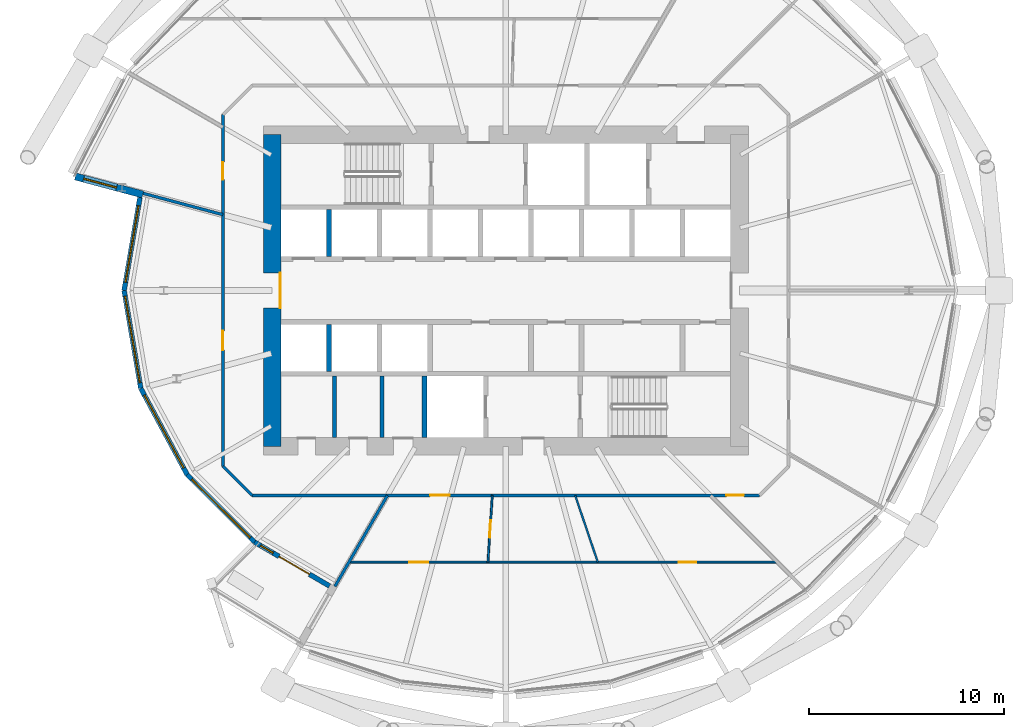
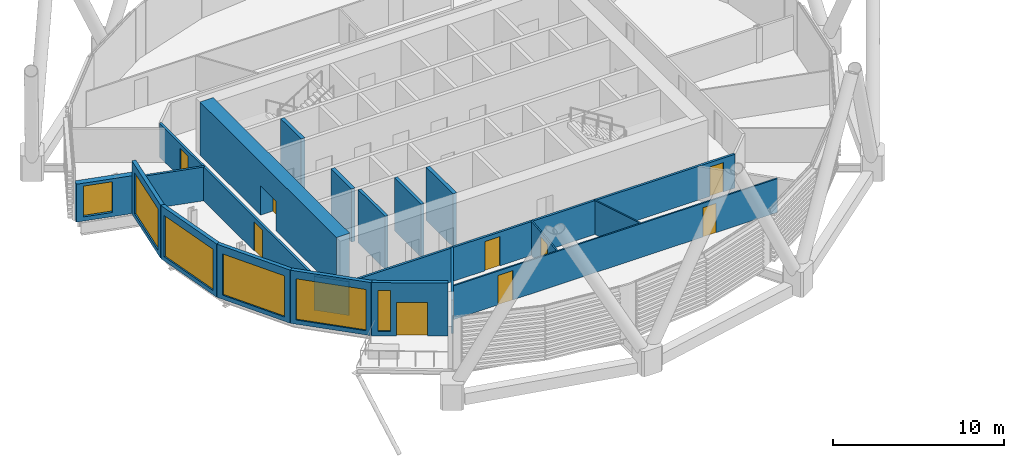
# One storey, part 24 of 40: 20 walls, 9 doors, 6 windows, 15 openings.
"""IFC4 building model written with IfcOpenShell, lengths in metres."""

from ifc_helpers import new_model, si_unit, direction, frame, frame_2d, origin, place, context, subcontext, project, spatial, rectangle, extrude, material, layer, layer_set, type_object, element, fill, save


model = new_model("IFC4")

# Units and contexts
model_context = context("Model", 3, precision=1e-05, world=origin(), true_north=direction((0.0, 1.0)))
body_context = subcontext(model_context, "Body", "Model", "MODEL_VIEW")
ifc_project = project(units=[si_unit("LENGTHUNIT", "METRE"), si_unit("AREAUNIT", "SQUARE_METRE"), si_unit("VOLUMEUNIT", "CUBIC_METRE"), si_unit("PLANEANGLEUNIT", "RADIAN"), si_unit("MASSUNIT", "GRAM", prefix="KILO")], contexts=[model_context])

# Site, building, storey
site_placement = place(None, origin())
site = spatial("IfcSite", under=ifc_project, at=site_placement, CompositionType="ELEMENT")
building_placement = place(site_placement, origin())
building = spatial("IfcBuilding", under=site, at=building_placement, Name="Rimbun Link Towers", CompositionType="ELEMENT")
storey_placement = place(building_placement, frame((0.0, 0.0, 52.800048828125)))
storey = spatial("IfcBuildingStorey", under=building, at=storey_placement, Name="L12", CompositionType="ELEMENT", Elevation=52.800048828125)

# Wall, opening, window
ifc_material_1 = material(Name="Dark enamelled glass spandrel on insulated aluminium backpan", Category="aluminium")
ifc_layer_1 = layer(ifc_material_1, 0.25)
ifc_layer_set_1 = layer_set([ifc_layer_1], Name="CS dark enamelled spandrel wall 250")
wall_type_1 = type_object("IfcWallType", Name="CS dark enamelled spandrel wall 250", PredefinedType="STANDARD", material=ifc_layer_set_1)
wall_1_placement = place(storey_placement, frame((-51.347900390625, 0.0, 0.0), z_axis=(0.0, 0.0, 1.0), x_axis=(0.168166241622, 0.985758649558, 0.0)))
wall_1 = element("IfcWall", 1, at=wall_1_placement, inside=storey, type_object=wall_type_1, Name="Crease spandrel wall", PredefinedType="STANDARD", context=body_context, shape_type="SweptSolid", body=[
    extrude(rectangle(XDim=4.84326171875, YDim=0.25, at=frame_2d((2.421630859375, 0.0))), origin(), (0.0, 0.0, 1.0), 3.800048828125),
])
opening_1_placement = place(wall_1_placement, frame((0.421630859375, 0.0, 0.300048828125)))
opening_1 = element("IfcOpeningElement", 2, at=opening_1_placement, cuts=wall_1, Name="Opening WR40H295", PredefinedType="OPENING", context=body_context, shape_type="SweptSolid", body=[
    extrude(rectangle(XDim=4.0, YDim=2.949951171875, at=frame_2d((2.0, 1.47509765625))), frame((0.0, 0.135009765625, 0.0), z_axis=(0.0, -1.0, 0.0), x_axis=(1.0, 0.0, 0.0)), (0.0, 0.0, 1.0), 0.27001953125),
])
ifc_material_2 = material(Name="Aluminium framed fixed window, dark tinted low-e glass", Category="aluminium")
window_type_1 = type_object("IfcWindowType", Name="WR ribbon window 4000X2950", PartitioningType="SINGLE_PANEL", PredefinedType="WINDOW", material=ifc_material_2)
window_1_placement = place(opening_1_placement, origin())
window_1 = element("IfcWindow", 3, at=window_1_placement, inside=storey, type_object=window_type_1, Name="Crease ribbon window", OverallHeight=2.949951171875, OverallWidth=4.0, PartitioningType="SINGLE_PANEL", PredefinedType="WINDOW", context=body_context, shape_type="SweptSolid", body=[
    extrude(rectangle(XDim=4.0, YDim=2.949951171875, at=frame_2d((2.0, 1.47509765625))), frame((0.0, 0.030029296875, 0.0), z_axis=(0.0, -1.0, 0.0), x_axis=(1.0, 0.0, 0.0)), (0.0, 0.0, 1.0), 0.06005859375),
])
fill(opening_1, window_1)

wall_2_placement = place(storey_placement, frame((-50.48974609375, -5.0302734375, 0.0), z_axis=(0.0, 0.0, 1.0), x_axis=(-0.168168336111, 0.985758292245, 0.0)))
wall_2 = element("IfcWall", 4, at=wall_2_placement, inside=storey, type_object=wall_type_1, Name="Crease spandrel wall", PredefinedType="STANDARD", context=body_context, shape_type="SweptSolid", body=[
    extrude(rectangle(XDim=5.10302734375, YDim=0.25, at=frame_2d((2.551513671875, 0.0))), origin(), (0.0, 0.0, 1.0), 3.800048828125),
])
opening_2_placement = place(wall_2_placement, frame((0.301513671875, 0.0, 0.300048828125)))
opening_2 = element("IfcOpeningElement", 5, at=opening_2_placement, cuts=wall_2, Name="Opening WR45H295", PredefinedType="OPENING", context=body_context, shape_type="SweptSolid", body=[
    extrude(rectangle(XDim=4.5, YDim=2.949951171875, at=frame_2d((2.25, 1.47509765625))), frame((0.0, 0.135009765625, 0.0), z_axis=(0.0, -1.0, 0.0), x_axis=(1.0, 0.0, 0.0)), (0.0, 0.0, 1.0), 0.27001953125),
])
ifc_material_3 = material(Name="Aluminium framed fixed window, dark tinted low-e glass", Category="aluminium")
window_type_2 = type_object("IfcWindowType", Name="WR ribbon window 4500X2950", PartitioningType="SINGLE_PANEL", PredefinedType="WINDOW", material=ifc_material_3)
window_2_placement = place(opening_2_placement, origin())
window_2 = element("IfcWindow", 6, at=window_2_placement, inside=storey, type_object=window_type_2, Name="Crease ribbon window", OverallHeight=2.949951171875, OverallWidth=4.5, PartitioningType="SINGLE_PANEL", PredefinedType="WINDOW", context=body_context, shape_type="SweptSolid", body=[
    extrude(rectangle(XDim=4.5, YDim=2.949951171875, at=frame_2d((2.25, 1.47509765625))), frame((0.0, 0.030029296875, 0.0), z_axis=(0.0, -1.0, 0.0), x_axis=(1.0, 0.0, 0.0)), (0.0, 0.0, 1.0), 0.06005859375),
])
fill(opening_2, window_2)

wall_3_placement = place(storey_placement, frame((-48.107177734375, -9.460693359375, 0.0), z_axis=(0.0, 0.0, 1.0), x_axis=(-0.473630902939, 0.880723434332, 0.0)))
wall_3 = element("IfcWall", 7, at=wall_3_placement, inside=storey, type_object=wall_type_1, Name="Crease spandrel wall", PredefinedType="STANDARD", context=body_context, shape_type="SweptSolid", body=[
    extrude(rectangle(XDim=5.030517578125, YDim=0.25, at=frame_2d((2.51513671875, 0.0))), origin(), (0.0, 0.0, 1.0), 3.800048828125),
])
opening_3_placement = place(wall_3_placement, frame((0.39013671875, 0.0, 0.300048828125)))
opening_3 = element("IfcOpeningElement", 8, at=opening_3_placement, cuts=wall_3, Name="Opening WR42H295", PredefinedType="OPENING", context=body_context, shape_type="SweptSolid", body=[
    extrude(rectangle(XDim=4.25, YDim=2.949951171875, at=frame_2d((2.125, 1.47509765625))), frame((0.0, 0.135009765625, 0.0), z_axis=(0.0, -1.0, 0.0), x_axis=(1.0, 0.0, 0.0)), (0.0, 0.0, 1.0), 0.27001953125),
])
ifc_material_4 = material(Name="Aluminium framed fixed window, dark tinted low-e glass", Category="aluminium")
window_type_3 = type_object("IfcWindowType", Name="WR ribbon window 4250X2950", PartitioningType="SINGLE_PANEL", PredefinedType="WINDOW", material=ifc_material_4)
window_3_placement = place(opening_3_placement, origin())
window_3 = element("IfcWindow", 9, at=window_3_placement, inside=storey, type_object=window_type_3, Name="Crease ribbon window", OverallHeight=2.949951171875, OverallWidth=4.25, PartitioningType="SINGLE_PANEL", PredefinedType="WINDOW", context=body_context, shape_type="SweptSolid", body=[
    extrude(rectangle(XDim=4.25, YDim=2.949951171875, at=frame_2d((2.125, 1.47509765625))), frame((0.0, 0.030029296875, 0.0), z_axis=(0.0, -1.0, 0.0), x_axis=(1.0, 0.0, 0.0)), (0.0, 0.0, 1.0), 0.06005859375),
])
fill(opening_3, window_3)

wall_4_placement = place(storey_placement, frame((-44.64697265625, -12.919677734375, 0.0), z_axis=(0.0, 0.0, 1.0), x_axis=(-0.707231519974, 0.70698202039, 0.0)))
wall_4 = element("IfcWall", 10, at=wall_4_placement, inside=storey, type_object=wall_type_1, Name="Crease spandrel wall", PredefinedType="STANDARD", context=body_context, shape_type="SweptSolid", body=[
    extrude(rectangle(XDim=4.892578125, YDim=0.25, at=frame_2d((2.4462890625, 0.0))), origin(), (0.0, 0.0, 1.0), 3.800048828125),
])
opening_4_placement = place(wall_4_placement, frame((0.3212890625, 0.0, 0.300048828125)))
opening_4 = element("IfcOpeningElement", 11, at=opening_4_placement, cuts=wall_4, Name="Opening WR42H295", PredefinedType="OPENING", context=body_context, shape_type="SweptSolid", body=[
    extrude(rectangle(XDim=4.25, YDim=2.949951171875, at=frame_2d((2.125, 1.47509765625))), frame((0.0, 0.135009765625, 0.0), z_axis=(0.0, -1.0, 0.0), x_axis=(1.0, 0.0, 0.0)), (0.0, 0.0, 1.0), 0.27001953125),
])
window_4_placement = place(opening_4_placement, origin())
window_4 = element("IfcWindow", 12, at=window_4_placement, inside=storey, type_object=window_type_3, Name="Crease ribbon window", OverallHeight=2.949951171875, OverallWidth=4.25, PartitioningType="SINGLE_PANEL", PredefinedType="WINDOW", context=body_context, shape_type="SweptSolid", body=[
    extrude(rectangle(XDim=4.25, YDim=2.949951171875, at=frame_2d((2.125, 1.47509765625))), frame((0.0, 0.030029296875, 0.0), z_axis=(0.0, -1.0, 0.0), x_axis=(1.0, 0.0, 0.0)), (0.0, 0.0, 1.0), 0.06005859375),
])
fill(opening_4, window_4)

# Wall, openings, door, window
wall_5_placement = place(storey_placement, frame((-40.79931640625, -15.173583984375, 0.0), z_axis=(0.0, 0.0, 1.0), x_axis=(-0.86285607233, 0.505449699222, 0.0)))
wall_5 = element("IfcWall", 13, at=wall_5_placement, inside=storey, type_object=wall_type_1, Name="Crease spandrel wall", PredefinedType="STANDARD", context=body_context, shape_type="SweptSolid", body=[
    extrude(rectangle(XDim=4.459228515625, YDim=0.25, at=frame_2d((2.2294921875, 0.0))), origin(), (0.0, 0.0, 1.0), 3.800048828125),
])
opening_5_placement = place(wall_5_placement, frame((3.353271484375, 0.0, 0.300048828125)))
opening_5 = element("IfcOpeningElement", 14, at=opening_5_placement, cuts=wall_5, Name="Opening WR08H295", PredefinedType="OPENING", context=body_context, shape_type="SweptSolid", body=[
    extrude(rectangle(XDim=0.75, YDim=2.949951171875, at=frame_2d((0.375, 1.47509765625))), frame((0.0, 0.135009765625, 0.0), z_axis=(0.0, -1.0, 0.0), x_axis=(1.0, 0.0, 0.0)), (0.0, 0.0, 1.0), 0.27001953125),
])
opening_6_placement = place(wall_5_placement, frame((1.197021484375, 0.0, 0.0)))
opening_6 = element("IfcOpeningElement", 15, at=opening_6_placement, cuts=wall_5, Name="Opening ED55", PredefinedType="OPENING", context=body_context, shape_type="SweptSolid", body=[
    extrude(rectangle(XDim=1.800048828125, YDim=2.39990234375, at=frame_2d((0.89990234375, 1.199951171875))), frame((0.0, 0.135009765625, 0.0), z_axis=(0.0, -1.0, 0.0), x_axis=(1.0, 0.0, 0.0)), (0.0, 0.0, 1.0), 0.27001953125),
])
ifc_material_5 = material(Name="Aluminium framed glazed door, low-iron glass", Category="aluminium")
door_type_1 = type_object("IfcDoorType", Name="ED terrace door double leaf 1800X2400", OperationType="DOUBLE_DOOR_SINGLE_SWING", PredefinedType="DOOR", material=ifc_material_5)
door_1_placement = place(opening_6_placement, origin())
door_1 = element("IfcDoor", 16, at=door_1_placement, inside=storey, type_object=door_type_1, Name="Terrace door", OperationType="SINGLE_SWING_LEFT", OverallHeight=2.39990234375, OverallWidth=1.800048828125, PredefinedType="DOOR", context=body_context, shape_type="SweptSolid", body=[
    extrude(rectangle(XDim=1.800048828125, YDim=2.39990234375, at=frame_2d((0.89990234375, 1.199951171875))), frame((0.0, 0.02490234375, 0.0), z_axis=(0.0, -1.0, 0.0), x_axis=(1.0, 0.0, 0.0)), (0.0, 0.0, 1.0), 0.050048828125),
])
fill(opening_6, door_1)
ifc_material_6 = material(Name="Aluminium framed fixed window, dark tinted low-e glass", Category="aluminium")
window_type_4 = type_object("IfcWindowType", Name="WR ribbon window 750X2950", PartitioningType="SINGLE_PANEL", PredefinedType="WINDOW", material=ifc_material_6)
window_5_placement = place(opening_5_placement, origin())
window_5 = element("IfcWindow", 17, at=window_5_placement, inside=storey, type_object=window_type_4, Name="Crease ribbon window", OverallHeight=2.949951171875, OverallWidth=0.75, PartitioningType="SINGLE_PANEL", PredefinedType="WINDOW", context=body_context, shape_type="SweptSolid", body=[
    extrude(rectangle(XDim=0.75, YDim=2.949951171875, at=frame_2d((0.375, 1.47509765625))), frame((0.0, 0.030029296875, 0.0), z_axis=(0.0, -1.0, 0.0), x_axis=(1.0, 0.0, 0.0)), (0.0, 0.0, 1.0), 0.06005859375),
])
fill(opening_5, window_5)

# Wall, opening, window
ifc_material_7 = material(Name="Dark enamelled glass spandrel on insulated aluminium backpan", Category="aluminium")
ifc_layer_2 = layer(ifc_material_7, 0.3701171875)
ifc_layer_set_2 = layer_set([ifc_layer_2], Name="CS dark enamelled spandrel wall 370")
wall_type_2 = type_object("IfcWallType", Name="CS dark enamelled spandrel wall 370", PredefinedType="STANDARD", material=ifc_layer_set_2)
wall_6_placement = place(storey_placement, frame((-50.38671875, 4.926513671875, 0.0), z_axis=(0.0, 0.0, 1.0), x_axis=(-0.965929787715, 0.258804260405, 0.0)))
wall_6 = element("IfcWall", 18, at=wall_6_placement, inside=storey, type_object=wall_type_2, Name="Crease spandrel wall", PredefinedType="STANDARD", context=body_context, shape_type="SweptSolid", body=[
    extrude(rectangle(XDim=3.580078125, YDim=0.3701171875, at=frame_2d((1.7900390625, 0.0))), origin(), (0.0, 0.0, 1.0), 2.711669921875),
])
opening_7_placement = place(wall_6_placement, frame((1.395751953125, 0.0, 0.300048828125)))
opening_7 = element("IfcOpeningElement", 19, at=opening_7_placement, cuts=wall_6, Name="Opening WR18H220", PredefinedType="OPENING", context=body_context, shape_type="SweptSolid", body=[
    extrude(rectangle(XDim=1.75, YDim=2.199951171875, at=frame_2d((0.875, 1.10009765625))), frame((0.0, 0.195068359375, 0.0), z_axis=(0.0, -1.0, 0.0), x_axis=(1.0, 0.0, 0.0)), (0.0, 0.0, 1.0), 0.39013671875),
])
ifc_material_8 = material(Name="Aluminium framed fixed window, dark tinted low-e glass", Category="aluminium")
window_type_5 = type_object("IfcWindowType", Name="WR ribbon window 1750X2200", PartitioningType="SINGLE_PANEL", PredefinedType="WINDOW", material=ifc_material_8)
window_6_placement = place(opening_7_placement, origin())
window_6 = element("IfcWindow", 20, at=window_6_placement, inside=storey, type_object=window_type_5, Name="Crease ribbon window", OverallHeight=2.199951171875, OverallWidth=1.75, PartitioningType="SINGLE_PANEL", PredefinedType="WINDOW", context=body_context, shape_type="SweptSolid", body=[
    extrude(rectangle(XDim=1.75, YDim=2.199951171875, at=frame_2d((0.875, 1.10009765625))), frame((0.0, 0.030029296875, 0.0), z_axis=(0.0, -1.0, 0.0), x_axis=(1.0, 0.0, 0.0)), (0.0, 0.0, 1.0), 0.06005859375),
])
fill(opening_7, window_6)

# Walls
ifc_material_9 = material(Name="Masonry blockwork", Category="masonry")
ifc_layer_3 = layer(ifc_material_9, 0.199951171875)
ifc_layer_set_3 = layer_set([ifc_layer_3], Name="Core partition 200")
wall_type_3 = type_object("IfcWallType", Name="Core partition 200", PredefinedType="PARTITIONING", material=ifc_layer_set_3)
for number, where, z_axis, x_axis, name in (
    (21, (-40.550048828125, -4.39990234375, 0.0), (0.0, 0.0, 1.0), (0.0, -1.0, 0.0), "L12 T1 core wall C1"),
    (22, (-38.10009765625, -4.39990234375, 0.0), (0.0, 0.0, 1.0), (0.0, -1.0, 0.0), "L12 T1 core wall C2"),
):
    element("IfcWall", number, at=place(storey_placement, frame(where, z_axis=z_axis, x_axis=x_axis)), inside=storey, type_object=wall_type_3, Name=name, PredefinedType="PARTITIONING", context=body_context, shape_type="SweptSolid", body=[
        extrude(rectangle(XDim=3.150146484375, YDim=0.199951171875, at=frame_2d((1.5751953125, 0.0))), origin(), (0.0, 0.0, 1.0), 3.800048828125),
    ])

# Wall, opening, door
ifc_material_10 = material(Name="Concrete C60/75", Category="concrete")
ifc_layer_4 = layer(ifc_material_10, 0.89990234375)
ifc_layer_set_4 = layer_set([ifc_layer_4], Name="Core shear wall 900")
wall_type_4 = type_object("IfcWallType", Name="Core shear wall 900", PredefinedType="SHEAR", material=ifc_layer_set_4)
wall_7_placement = place(storey_placement, frame((-43.75, -8.0, 0.0), z_axis=(0.0, 0.0, 1.0), x_axis=(0.0, 1.0, 0.0)))
wall_7 = element("IfcWall", 23, at=wall_7_placement, inside=storey, type_object=wall_type_4, Name="L12 T1 core wall W", PredefinedType="SHEAR", context=body_context, shape_type="SweptSolid", body=[
    extrude(rectangle(XDim=16.0, YDim=0.89990234375, at=frame_2d((8.0, 0.0))), origin(), (0.0, 0.0, 1.0), 3.800048828125),
])
opening_8_placement = place(wall_7_placement, frame((7.10009765625, 0.0, 0.0)))
opening_8 = element("IfcOpeningElement", 24, at=opening_8_placement, cuts=wall_7, Name="Opening C1DCL01W", PredefinedType="OPENING", context=body_context, shape_type="SweptSolid", body=[
    extrude(rectangle(XDim=1.800048828125, YDim=2.10009765625, at=frame_2d((0.89990234375, 1.050048828125))), frame((0.0, 0.4599609375, 0.0), z_axis=(0.0, -1.0, 0.0), x_axis=(1.0, 0.0, 0.0)), (0.0, 0.0, 1.0), 0.919921875),
])
ifc_material_11 = material(Name="Steel fire door set", Category="steel")
door_type_2 = type_object("IfcDoorType", Name="Core lobby door double", OperationType="DOUBLE_DOOR_SINGLE_SWING", PredefinedType="DOOR", material=ifc_material_11)
door_2_placement = place(opening_8_placement, origin())
door_2 = element("IfcDoor", 25, at=door_2_placement, inside=storey, type_object=door_type_2, Name="L12 T1 lift lobby door", OperationType="DOUBLE_DOOR_SINGLE_SWING", OverallHeight=2.10009765625, OverallWidth=1.800048828125, PredefinedType="DOOR", context=body_context, shape_type="SweptSolid", body=[
    extrude(rectangle(XDim=1.800048828125, YDim=2.10009765625, at=frame_2d((0.89990234375, 1.050048828125))), frame((0.0, -0.39990234375, 0.0), z_axis=(0.0, -1.0, 0.0), x_axis=(1.0, 0.0, 0.0)), (0.0, 0.0, 1.0), 0.050048828125),
])
fill(opening_8, door_2)

# Wall, openings, doors
ifc_material_12 = material(Name="Plasterboard on steel stud, mineral wool", Category="steel")
ifc_layer_5 = layer(ifc_material_12, 0.14990234375)
ifc_layer_set_5 = layer_set([ifc_layer_5], Name="Corridor wall EI 30 150 mm")
wall_type_5 = type_object("IfcWallType", Name="Corridor wall EI 30 150 mm", PredefinedType="PARTITIONING", material=ifc_layer_set_5)
wall_8_placement = place(storey_placement, frame((-18.723388671875, -10.52490234375, 0.0), z_axis=(0.0, 0.0, 1.0), x_axis=(-1.0, 0.0, 0.0)))
wall_8 = element("IfcWall", 26, at=wall_8_placement, inside=storey, type_object=wall_type_5, Name="Corridor wall EI 30 150 mm", PredefinedType="PARTITIONING", context=body_context, shape_type="SweptSolid", body=[
    extrude(rectangle(XDim=26.05322265625, YDim=0.14990234375, at=frame_2d((13.026611328125, 0.0))), origin(), (0.0, 0.0, 1.0), 2.419921875),
])
opening_9_placement = place(wall_8_placement, frame((15.91064453125, 0.0, 0.0)))
opening_9 = element("IfcOpeningElement", 27, at=opening_9_placement, cuts=wall_8, Name="Opening D01", PredefinedType="OPENING", context=body_context, shape_type="SweptSolid", body=[
    extrude(rectangle(XDim=1.0, YDim=2.10009765625, at=frame_2d((0.5, 1.050048828125))), frame((0.0, 0.0849609375, 0.0), z_axis=(0.0, -1.0, 0.0), x_axis=(1.0, 0.0, 0.0)), (0.0, 0.0, 1.0), 0.169921875),
])
opening_10_placement = place(wall_8_placement, frame((0.80078125, 0.0, 0.0)))
opening_10 = element("IfcOpeningElement", 28, at=opening_10_placement, cuts=wall_8, Name="Opening D02", PredefinedType="OPENING", context=body_context, shape_type="SweptSolid", body=[
    extrude(rectangle(XDim=0.89990234375, YDim=2.10009765625, at=frame_2d((0.449951171875, 1.050048828125))), frame((0.0, 0.0849609375, 0.0), z_axis=(0.0, -1.0, 0.0), x_axis=(1.0, 0.0, 0.0)), (0.0, 0.0, 1.0), 0.169921875),
])
ifc_material_13 = material(Name="Fire-resisting timber door leaf", Category="wood")
door_type_3 = type_object("IfcDoorType", Name="Fire door FD30S 1000", OperationType="NOTDEFINED", PredefinedType="DOOR", material=ifc_material_13)
door_3_placement = place(opening_9_placement, origin())
door_3 = element("IfcDoor", 29, at=door_3_placement, inside=storey, type_object=door_type_3, Name="Fire door FD30S 1000 to Reception", OperationType="SINGLE_SWING_LEFT", OverallHeight=2.10009765625, OverallWidth=1.0, PredefinedType="DOOR", context=body_context, shape_type="SweptSolid", body=[
    extrude(rectangle(XDim=1.0, YDim=2.10009765625, at=frame_2d((0.5, 1.050048828125))), frame((0.0, 0.02490234375, 0.0), z_axis=(0.0, -1.0, 0.0), x_axis=(1.0, 0.0, 0.0)), (0.0, 0.0, 1.0), 0.050048828125),
])
fill(opening_9, door_3)
ifc_material_14 = material(Name="Fire-resisting timber door leaf", Category="wood")
door_type_4 = type_object("IfcDoorType", Name="Fire door FD30S 900", OperationType="NOTDEFINED", PredefinedType="DOOR", material=ifc_material_14)
door_4_placement = place(opening_10_placement, origin())
door_4 = element("IfcDoor", 30, at=door_4_placement, inside=storey, type_object=door_type_4, Name="Fire door FD30S 900 to Cellular office", OperationType="SINGLE_SWING_LEFT", OverallHeight=2.10009765625, OverallWidth=0.89990234375, PredefinedType="DOOR", context=body_context, shape_type="SweptSolid", body=[
    extrude(rectangle(XDim=0.89990234375, YDim=2.10009765625, at=frame_2d((0.449951171875, 1.050048828125))), frame((0.0, 0.02490234375, 0.0), z_axis=(0.0, -1.0, 0.0), x_axis=(1.0, 0.0, 0.0)), (0.0, 0.0, 1.0), 0.050048828125),
])
fill(opening_10, door_4)

# Wall
wall_9_placement = place(storey_placement, frame((-46.27490234375, -9.026611328125, 0.0), z_axis=(0.0, 0.0, 1.0), x_axis=(0.707106781187, -0.707106781187, 0.0)))
element("IfcWall", 31, at=wall_9_placement, inside=storey, type_object=wall_type_5, Name="Corridor wall EI 30 150 mm", PredefinedType="PARTITIONING", context=body_context, shape_type="SweptSolid", body=[
    extrude(rectangle(XDim=2.118896484375, YDim=0.14990234375, at=frame_2d((1.0595703125, 0.0))), origin(), (0.0, 0.0, 1.0), 2.419921875),
])

# Wall, openings, doors
wall_10_placement = place(storey_placement, frame((-46.27490234375, -9.026611328125, 0.0), z_axis=(0.0, 0.0, 1.0), x_axis=(0.0, 1.0, 0.0)))
wall_10 = element("IfcWall", 32, at=wall_10_placement, inside=storey, type_object=wall_type_5, Name="Corridor wall EI 30 150 mm", PredefinedType="PARTITIONING", context=body_context, shape_type="SweptSolid", body=[
    extrude(rectangle(XDim=18.05322265625, YDim=0.14990234375, at=frame_2d((9.026611328125, 0.0))), origin(), (0.0, 0.0, 1.0), 2.419921875),
])
opening_11_placement = place(wall_10_placement, frame((14.7158203125, 0.0, 0.0)))
opening_11 = element("IfcOpeningElement", 33, at=opening_11_placement, cuts=wall_10, Name="Opening D02", PredefinedType="OPENING", context=body_context, shape_type="SweptSolid", body=[
    extrude(rectangle(XDim=0.89990234375, YDim=2.10009765625, at=frame_2d((0.449951171875, 1.050048828125))), frame((0.0, 0.0849609375, 0.0), z_axis=(0.0, -1.0, 0.0), x_axis=(1.0, 0.0, 0.0)), (0.0, 0.0, 1.0), 0.169921875),
])
opening_12_placement = place(wall_10_placement, frame((5.95947265625, 0.0, 0.0)))
opening_12 = element("IfcOpeningElement", 34, at=opening_12_placement, cuts=wall_10, Name="Opening D01", PredefinedType="OPENING", context=body_context, shape_type="SweptSolid", body=[
    extrude(rectangle(XDim=1.0, YDim=2.10009765625, at=frame_2d((0.5, 1.050048828125))), frame((0.0, 0.0849609375, 0.0), z_axis=(0.0, -1.0, 0.0), x_axis=(1.0, 0.0, 0.0)), (0.0, 0.0, 1.0), 0.169921875),
])
door_5_placement = place(opening_12_placement, origin())
door_5 = element("IfcDoor", 35, at=door_5_placement, inside=storey, type_object=door_type_3, Name="Fire door FD30S 1000 to Terrace office", OperationType="SINGLE_SWING_RIGHT", OverallHeight=2.10009765625, OverallWidth=1.0, PredefinedType="DOOR", context=body_context, shape_type="SweptSolid", body=[
    extrude(rectangle(XDim=1.0, YDim=2.10009765625, at=frame_2d((0.5, 1.050048828125))), frame((0.0, 0.02490234375, 0.0), z_axis=(0.0, -1.0, 0.0), x_axis=(1.0, 0.0, 0.0)), (0.0, 0.0, 1.0), 0.050048828125),
])
fill(opening_12, door_5)
door_6_placement = place(opening_11_placement, origin())
door_6 = element("IfcDoor", 36, at=door_6_placement, inside=storey, type_object=door_type_4, Name="Fire door FD30S 900 to Print room", OperationType="SINGLE_SWING_LEFT", OverallHeight=2.10009765625, OverallWidth=0.89990234375, PredefinedType="DOOR", context=body_context, shape_type="SweptSolid", body=[
    extrude(rectangle(XDim=0.89990234375, YDim=2.10009765625, at=frame_2d((0.449951171875, 1.050048828125))), frame((0.0, 0.02490234375, 0.0), z_axis=(0.0, -1.0, 0.0), x_axis=(1.0, 0.0, 0.0)), (0.0, 0.0, 1.0), 0.050048828125),
])
fill(opening_11, door_6)

# Wall, opening, door
ifc_material_15 = material(Name="Plasterboard on steel stud", Category="steel")
ifc_layer_6 = layer(ifc_material_15, 0.10009765625)
ifc_layer_set_6 = layer_set([ifc_layer_6], Name="Plasterboard partition 100 mm")
wall_type_6 = type_object("IfcWallType", Name="Plasterboard partition 100 mm", PredefinedType="PARTITIONING", material=ifc_layer_set_6)
wall_11_placement = place(storey_placement, frame((-32.44140625, -10.52490234375, 0.0), z_axis=(0.0, 0.0, 1.0), x_axis=(-0.065530908468, -0.997850539928, 0.0)))
wall_11 = element("IfcWall", 37, at=wall_11_placement, inside=storey, type_object=wall_type_6, Name="Plasterboard partition 100 mm", PredefinedType="PARTITIONING", context=body_context, shape_type="SweptSolid", body=[
    extrude(rectangle(XDim=3.427490234375, YDim=0.10009765625, at=frame_2d((1.7138671875, 0.0))), origin(), (0.0, 0.0, 1.0), 2.419921875),
])
opening_13_placement = place(wall_11_placement, frame((1.263671875, 0.0, 0.0)))
opening_13 = element("IfcOpeningElement", 38, at=opening_13_placement, cuts=wall_11, Name="Opening D04", PredefinedType="OPENING", context=body_context, shape_type="SweptSolid", body=[
    extrude(rectangle(XDim=0.89990234375, YDim=2.10009765625, at=frame_2d((0.449951171875, 1.050048828125))), frame((0.0, 0.06005859375, 0.0), z_axis=(0.0, -1.0, 0.0), x_axis=(1.0, 0.0, 0.0)), (0.0, 0.0, 1.0), 0.1201171875),
])
ifc_material_16 = material(Name="Timber door leaf", Category="wood")
door_type_5 = type_object("IfcDoorType", Name="Flush door 900", OperationType="NOTDEFINED", PredefinedType="DOOR", material=ifc_material_16)
door_7_placement = place(opening_13_placement, origin())
door_7 = element("IfcDoor", 39, at=door_7_placement, inside=storey, type_object=door_type_5, Name="Flush door 900 to Meeting room", OperationType="SINGLE_SWING_LEFT", OverallHeight=2.10009765625, OverallWidth=0.89990234375, PredefinedType="DOOR", context=body_context, shape_type="SweptSolid", body=[
    extrude(rectangle(XDim=0.89990234375, YDim=2.10009765625, at=frame_2d((0.449951171875, 1.050048828125))), frame((0.0, 0.02490234375, 0.0), z_axis=(0.0, -1.0, 0.0), x_axis=(1.0, 0.0, 0.0)), (0.0, 0.0, 1.0), 0.050048828125),
])
fill(opening_13, door_7)

# Wall, openings, doors
wall_12_placement = place(storey_placement, frame((-17.804931640625, -13.945068359375, 0.0), z_axis=(0.0, 0.0, 1.0), x_axis=(-1.0, 0.0, 0.0)))
wall_12 = element("IfcWall", 40, at=wall_12_placement, inside=storey, type_object=wall_type_6, Name="Plasterboard partition 100 mm", PredefinedType="PARTITIONING", context=body_context, shape_type="SweptSolid", body=[
    extrude(rectangle(XDim=21.996337890625, YDim=0.10009765625, at=frame_2d((10.998046875, 0.0))), origin(), (0.0, 0.0, 1.0), 2.419921875),
])
opening_14_placement = place(wall_12_placement, frame((17.91357421875, 0.0, 0.0)))
opening_14 = element("IfcOpeningElement", 41, at=opening_14_placement, cuts=wall_12, Name="Opening D03", PredefinedType="OPENING", context=body_context, shape_type="SweptSolid", body=[
    extrude(rectangle(XDim=1.0, YDim=2.10009765625, at=frame_2d((0.5, 1.050048828125))), frame((0.0, 0.06005859375, 0.0), z_axis=(0.0, -1.0, 0.0), x_axis=(1.0, 0.0, 0.0)), (0.0, 0.0, 1.0), 0.1201171875),
])
opening_15_placement = place(wall_12_placement, frame((4.160888671875, 0.0, 0.0)))
opening_15 = element("IfcOpeningElement", 42, at=opening_15_placement, cuts=wall_12, Name="Opening D04", PredefinedType="OPENING", context=body_context, shape_type="SweptSolid", body=[
    extrude(rectangle(XDim=0.89990234375, YDim=2.10009765625, at=frame_2d((0.449951171875, 1.050048828125))), frame((0.0, 0.06005859375, 0.0), z_axis=(0.0, -1.0, 0.0), x_axis=(1.0, 0.0, 0.0)), (0.0, 0.0, 1.0), 0.1201171875),
])
ifc_material_17 = material(Name="Timber door leaf", Category="wood")
door_type_6 = type_object("IfcDoorType", Name="Flush door 1000", OperationType="NOTDEFINED", PredefinedType="DOOR", material=ifc_material_17)
door_8_placement = place(opening_14_placement, origin())
door_8 = element("IfcDoor", 43, at=door_8_placement, inside=storey, type_object=door_type_6, Name="Flush door 1000 to Open office", OperationType="SINGLE_SWING_RIGHT", OverallHeight=2.10009765625, OverallWidth=1.0, PredefinedType="DOOR", context=body_context, shape_type="SweptSolid", body=[
    extrude(rectangle(XDim=1.0, YDim=2.10009765625, at=frame_2d((0.5, 1.050048828125))), frame((0.0, 0.02490234375, 0.0), z_axis=(0.0, -1.0, 0.0), x_axis=(1.0, 0.0, 0.0)), (0.0, 0.0, 1.0), 0.050048828125),
])
fill(opening_14, door_8)
door_9_placement = place(opening_15_placement, origin())
door_9 = element("IfcDoor", 44, at=door_9_placement, inside=storey, type_object=door_type_5, Name="Flush door 900 to Print room", OperationType="SINGLE_SWING_LEFT", OverallHeight=2.10009765625, OverallWidth=0.89990234375, PredefinedType="DOOR", context=body_context, shape_type="SweptSolid", body=[
    extrude(rectangle(XDim=0.89990234375, YDim=2.10009765625, at=frame_2d((0.449951171875, 1.050048828125))), frame((0.0, 0.02490234375, 0.0), z_axis=(0.0, -1.0, 0.0), x_axis=(1.0, 0.0, 0.0)), (0.0, 0.0, 1.0), 0.050048828125),
])
fill(opening_15, door_9)

# Walls
wall_13_placement = place(storey_placement, frame((-27.026611328125, -13.945068359375, 0.0), z_axis=(0.0, 0.0, 1.0), x_axis=(-0.32080801193, 0.947144244285, 0.0)))
element("IfcWall", 45, at=wall_13_placement, inside=storey, type_object=wall_type_6, Name="Plasterboard partition 100 mm", PredefinedType="PARTITIONING", context=body_context, shape_type="SweptSolid", body=[
    extrude(rectangle(XDim=3.611083984375, YDim=0.10009765625, at=frame_2d((1.8056640625, 0.0))), origin(), (0.0, 0.0, 1.0), 2.419921875),
])
ifc_material_18 = material(Name="Concrete C60/75", Category="concrete")
ifc_layer_7 = layer(ifc_material_18, 0.25)
ifc_layer_set_7 = layer_set([ifc_layer_7], Name="Shaft wall 250")
wall_type_7 = type_object("IfcWallType", Name="Shaft wall 250", PredefinedType="SHEAR", material=ifc_layer_set_7)
for number, where, z_axis, x_axis, name in (
    (46, (-40.83056640625, 1.75, 0.0), (0.0, 0.0, 1.0), (0.0, 1.0, 0.0), "L12 T1 core wall DN0"),
    (47, (-40.83056640625, -4.14990234375, 0.0), (0.0, 0.0, 1.0), (0.0, 1.0, 0.0), "L12 T1 core wall DS0"),
):
    element("IfcWall", number, at=place(storey_placement, frame(where, z_axis=z_axis, x_axis=x_axis)), inside=storey, type_object=wall_type_7, Name=name, PredefinedType="SHEAR", context=body_context, shape_type="SweptSolid", body=[
        extrude(rectangle(XDim=2.39990234375, YDim=0.25, at=frame_2d((1.199951171875, 0.0))), origin(), (0.0, 0.0, 1.0), 3.800048828125),
    ])
wall_14_placement = place(storey_placement, frame((-35.925048828125, -4.39990234375, 0.0), z_axis=(0.0, 0.0, 1.0), x_axis=(0.0, -1.0, 0.0)))
element("IfcWall", 48, at=wall_14_placement, inside=storey, type_object=wall_type_7, Name="L12 T1 core wall B3", PredefinedType="SHEAR", context=body_context, shape_type="SweptSolid", body=[
    extrude(rectangle(XDim=3.150146484375, YDim=0.25, at=frame_2d((1.5751953125, 0.0))), origin(), (0.0, 0.0, 1.0), 3.800048828125),
])
ifc_material_19 = material(Name="Plasterboard on steel stud, mineral wool", Category="steel")
ifc_layer_8 = layer(ifc_material_19, 0.14990234375)
ifc_layer_set_8 = layer_set([ifc_layer_8], Name="Tenancy separation wall EI 60 150 mm")
wall_type_8 = type_object("IfcWallType", Name="Tenancy separation wall EI 60 150 mm", PredefinedType="PARTITIONING", material=ifc_layer_set_8)
wall_15_placement = place(storey_placement, frame((-46.27490234375, 3.89208984375, 0.0), z_axis=(0.0, 0.0, 1.0), x_axis=(-0.965934172097, 0.258787896113, 0.0)))
element("IfcWall", 49, at=wall_15_placement, inside=storey, type_object=wall_type_8, Name="Tenancy separation wall EI 60 150 mm", PredefinedType="PARTITIONING", context=body_context, shape_type="SweptSolid", body=[
    extrude(rectangle(XDim=4.23974609375, YDim=0.14990234375, at=frame_2d((2.119873046875, 0.0))), origin(), (0.0, 0.0, 1.0), 2.419921875),
])
wall_16_placement = place(storey_placement, frame((-37.82666015625, -10.52490234375, 0.0), z_axis=(0.0, 0.0, 1.0), x_axis=(-0.499978670142, -0.866037718234, 0.0)))
element("IfcWall", 50, at=wall_16_placement, inside=storey, type_object=wall_type_8, Name="Tenancy separation wall EI 60 150 mm", PredefinedType="PARTITIONING", context=body_context, shape_type="SweptSolid", body=[
    extrude(rectangle(XDim=5.388916015625, YDim=0.14990234375, at=frame_2d((2.6943359375, 0.0))), origin(), (0.0, 0.0, 1.0), 2.419921875),
])

save(model, "model.ifc")
